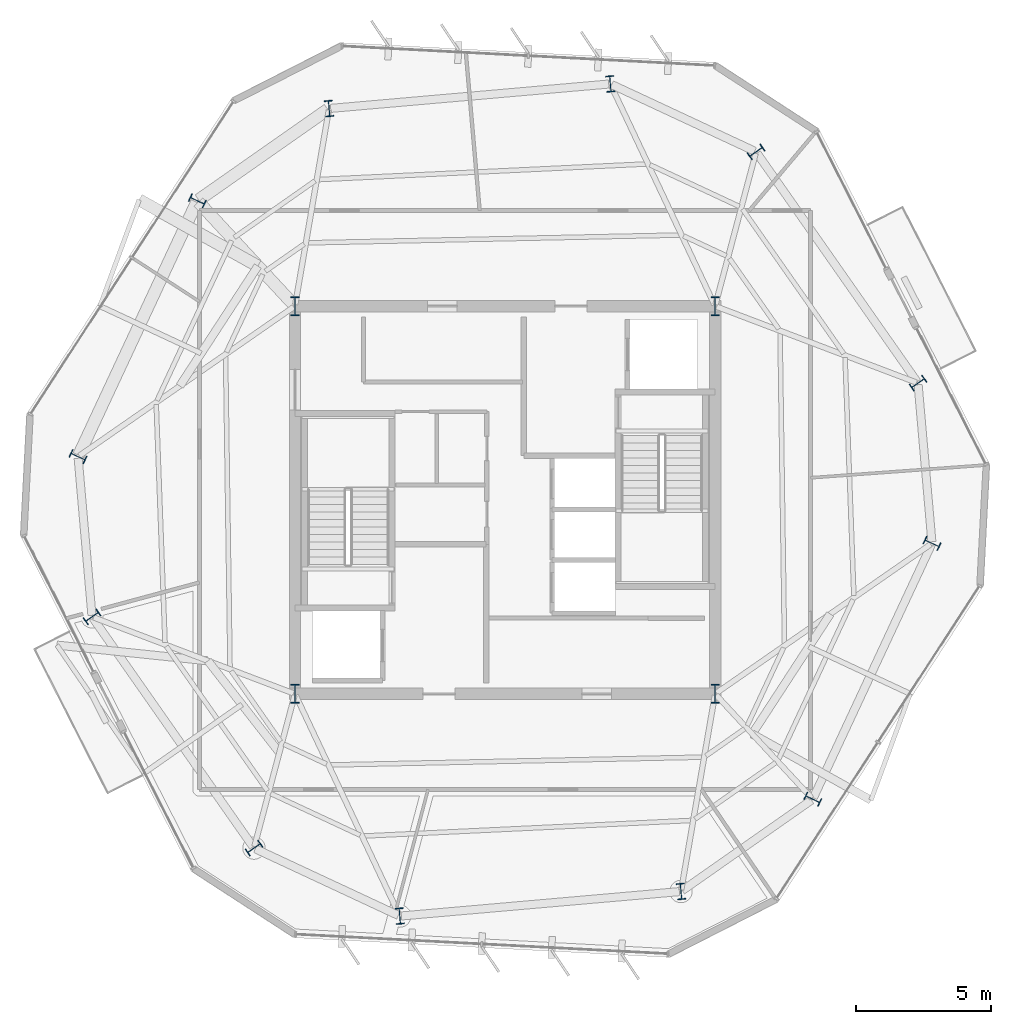
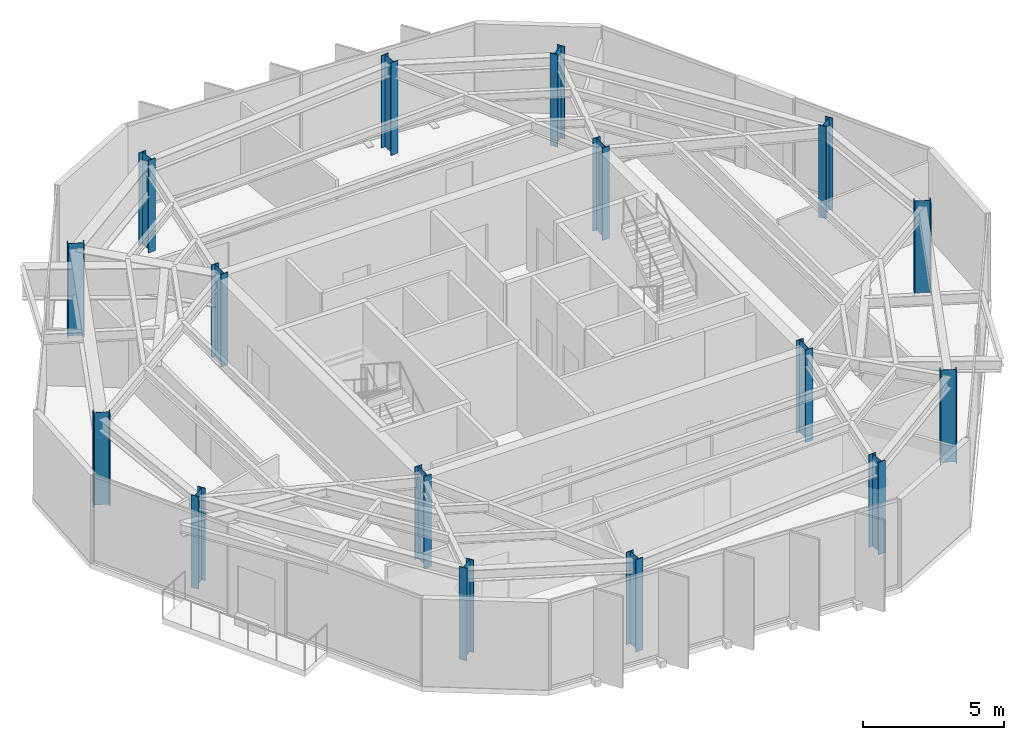
# One storey, part 1 of 11: 16 columns.
"""IFC4 building model written with IfcOpenShell, lengths in metres."""

import ifcopenshell
import ifcopenshell.guid

model = None  # the IFC model being written
_history = None  # IfcOwnerHistory: only IFC2X3 demands one
_inside = {}  # id of a spatial element -> (the spatial element, [elements in it])
_under = {}  # id of a project, library or spatial element -> (it, [spatial elements below it])
_declared = {}  # id of a project -> (the project, [libraries it declares])
_typed = {}  # id of a type object -> (the type object, [elements of that type])
_made_of = {}  # id of a material, layer set ... -> (it, [elements and type objects made of it])


def new_model(schema):
    """Start an empty IFC model of exactly this schema.

    Asked for "IFC4X3", IfcOpenShell would pick the latest addendum, in which some entities
    have other attributes; the version numbers below select the first issue.
    IFC2X3 requires an IfcOwnerHistory on every rooted entity: one is made here for all.
    """
    global model, _history
    if schema == "IFC4X3":
        model = ifcopenshell.file(schema_version=(4, 3, 0, 0))
    else:
        model = ifcopenshell.file(schema=schema)
    _inside.clear()
    _under.clear()
    _declared.clear()
    _typed.clear()
    _made_of.clear()
    _history = None
    if model.schema == "IFC2X3":
        org = make("IfcOrganization", Name="unknown")
        user = make(
            "IfcPersonAndOrganization",
            ThePerson=make("IfcPerson", FamilyName="unknown"),
            TheOrganization=org,
        )
        app = make(
            "IfcApplication",
            ApplicationDeveloper=org,
            Version="unknown",
            ApplicationFullName="unknown",
            ApplicationIdentifier="unknown",
        )
        _history = make(
            "IfcOwnerHistory",
            OwningUser=user,
            OwningApplication=app,
            ChangeAction="ADDED",
            CreationDate=0,
        )
    return model


def make(cls, **values):
    """One entity of the class cls with the attributes given. An attribute that is None is left unset."""
    return model.create_entity(
        cls, **{name: value for name, value in values.items() if value is not None}
    )


def rooted(cls, **values):
    """An entity with a GlobalId (a new one), such as an element, a storey or a relation."""
    return make(cls, GlobalId=ifcopenshell.guid.new(), OwnerHistory=_history, **values)


def si_unit(unit_type, name, prefix=None):
    """IfcSIUnit, for example si_unit("LENGTHUNIT", "METRE", prefix="MILLI")."""
    return make("IfcSIUnit", UnitType=unit_type, Prefix=prefix, Name=name)


def assignment(units):
    """IfcUnitAssignment: the units of a project."""
    return None if units is None else make("IfcUnitAssignment", Units=units)


def point(xyz):
    """IfcCartesianPoint."""
    return None if xyz is None else make("IfcCartesianPoint", Coordinates=xyz)


def direction(xyz):
    """IfcDirection."""
    return None if xyz is None else make("IfcDirection", DirectionRatios=xyz)


def frame(location, z_axis=None, x_axis=None):
    """IfcAxis2Placement3D, a coordinate frame: its origin and axes. An axis left out is left unset."""
    return make(
        "IfcAxis2Placement3D",
        Location=point(location),
        Axis=direction(z_axis),
        RefDirection=direction(x_axis),
    )


def frame_2d(location, x_axis=None):
    """IfcAxis2Placement2D, a coordinate frame in the plane: its origin and x axis."""
    return make(
        "IfcAxis2Placement2D", Location=point(location), RefDirection=direction(x_axis)
    )


def origin():
    """The frame at (0, 0, 0) with its axes left unset."""
    return frame((0.0, 0.0, 0.0))


def origin_2d():
    """The frame at (0, 0) in the plane with its x axis left unset."""
    return frame_2d((0.0, 0.0))


def place(relative_to, where):
    """IfcLocalPlacement: puts the frame where relative to a parent placement (None: the world)."""
    return make(
        "IfcLocalPlacement", PlacementRelTo=relative_to, RelativePlacement=where
    )


def context(
    kind, dimensions, precision=None, world=None, true_north=None, identifier=None
):
    """IfcGeometricRepresentationContext, for example the 3D "Model" context."""
    return make(
        "IfcGeometricRepresentationContext",
        ContextIdentifier=identifier,
        ContextType=kind,
        CoordinateSpaceDimension=dimensions,
        Precision=precision,
        WorldCoordinateSystem=world,
        TrueNorth=true_north,
    )


def subcontext(parent, identifier, kind, view, scale=None):
    """IfcGeometricRepresentationSubContext, for example "Body" below "Model"."""
    return make(
        "IfcGeometricRepresentationSubContext",
        ContextIdentifier=identifier,
        ContextType=kind,
        ParentContext=parent,
        TargetScale=scale,
        TargetView=view,
    )


def project(units=None, contexts=None):
    """IfcProject with its units and contexts."""
    return rooted(
        "IfcProject",
        Name="project",
        RepresentationContexts=contexts,
        UnitsInContext=assignment(units),
    )


def spatial(cls, under=None, at=None, **own):
    """A site, building, storey or space (cls), placed at a placement, below another one or the project."""
    s = rooted(cls, ObjectPlacement=at, **own)
    if under is not None:
        _under.setdefault(under.id(), (under, []))[1].append(s)
    return s


def profile(cls, at=None, kind="AREA", **sizes):
    """A parametric profile (cls). Its sizes go by their IFC names, for example OverallWidth=200.0."""
    return make(cls, ProfileType=kind, Position=at, **sizes)


def i_section(**sizes):
    """IfcIShapeProfileDef."""
    return profile("IfcIShapeProfileDef", **sizes)


def extrude(swept, where, along, depth):
    """IfcExtrudedAreaSolid: the profile swept, set in the frame where, extruded along a direction by depth."""
    return make(
        "IfcExtrudedAreaSolid",
        SweptArea=swept,
        Position=where,
        ExtrudedDirection=direction(along),
        Depth=depth,
    )


def shape(context_of_items, identifier, shape_type, items):
    """IfcShapeRepresentation: the items that make up one representation, for example the "Body"."""
    return make(
        "IfcShapeRepresentation",
        ContextOfItems=context_of_items,
        RepresentationIdentifier=identifier,
        RepresentationType=shape_type,
        Items=items,
    )


def material(Name=None, Category=None):
    """IfcMaterial."""
    return make("IfcMaterial", Name=Name, Category=Category)


def material_profile(
    of_material, cross_section, Name=None, Category=None, Priority=None
):
    """IfcMaterialProfile: a cross section and its material."""
    return make(
        "IfcMaterialProfile",
        Name=Name,
        Material=of_material,
        Profile=cross_section,
        Priority=Priority,
        Category=Category,
    )


def profile_set(profiles, Name=None, composite=None):
    """IfcMaterialProfileSet."""
    return make(
        "IfcMaterialProfileSet",
        Name=Name,
        MaterialProfiles=profiles,
        CompositeProfile=composite,
    )


def made_of(thing, what):
    """Note that an element or type object is made of a material, layer set ...; save() writes the relation."""
    if what is not None:
        _made_of.setdefault(what.id(), (what, []))[1].append(thing)
    return thing


def type_object(cls, material=None, **own):
    """A type object (cls), such as IfcWallType, which elements share."""
    return made_of(rooted(cls, **own), material)


def element(
    cls,
    number,
    at=None,
    inside=None,
    cuts=None,
    type_object=None,
    material=None,
    context=None,
    identifier="Body",
    shape_type=None,
    held_by="IfcProductDefinitionShape",
    body=None,
    shapes=None,
    **own,
):
    """One element of the class cls, such as IfcWall. Its Tag is "e" and its number.

    at: its placement. inside: the storey or other place that contains it. cuts: it is an
    opening in that element (IfcRelVoidsElement). A single representation is given by context,
    identifier, shape_type and body (its items); several are given by shapes. held_by: the class
    of the entity that holds the representations. save() writes the other relations.
    """
    e = rooted(cls, Tag="e%d" % number, ObjectPlacement=at, **own)
    if body is not None:
        shapes = [shape(context, identifier, shape_type, body)]
    if shapes is not None:
        e.Representation = make(held_by, Representations=shapes)
    if inside is not None:
        _inside.setdefault(inside.id(), (inside, []))[1].append(e)
    if cuts is not None:
        rooted(
            "IfcRelVoidsElement", RelatingBuildingElement=cuts, RelatedOpeningElement=e
        )
    if type_object is not None:
        _typed.setdefault(type_object.id(), (type_object, []))[1].append(e)
    return made_of(e, material)


def aggregate(whole, parts):
    """IfcRelAggregates: a whole, such as a stair, and the parts it consists of."""
    return rooted("IfcRelAggregates", RelatingObject=whole, RelatedObjects=parts)


def save(model, path):
    """Write the relations noted so far, then the file.

    IfcRelAggregates (storeys below a building ...), IfcRelContainedInSpatialStructure (elements
    in a storey), IfcRelDefinesByType, IfcRelAssociatesMaterial and IfcRelDeclares: one each for
    every whole, place, type object, material and project.
    """
    for whole, parts in _under.values():
        aggregate(whole, parts)
    for where, things in _inside.values():
        rooted(
            "IfcRelContainedInSpatialStructure",
            RelatedElements=things,
            RelatingStructure=where,
        )
    for kind, things in _typed.values():
        rooted("IfcRelDefinesByType", RelatedObjects=things, RelatingType=kind)
    for what, things in _made_of.values():
        rooted("IfcRelAssociatesMaterial", RelatedObjects=things, RelatingMaterial=what)
    for by, libraries in _declared.values():
        rooted("IfcRelDeclares", RelatingContext=by, RelatedDefinitions=libraries)
    model.write(path)


model = new_model("IFC4")

# Units and contexts
model_context = context("Model", 3, precision=1e-05, world=origin(), true_north=direction((0.0, 1.0)))
body_context = subcontext(model_context, "Body", "Model", "MODEL_VIEW")
ifc_project = project(units=[si_unit("LENGTHUNIT", "METRE"), si_unit("AREAUNIT", "SQUARE_METRE"), si_unit("VOLUMEUNIT", "CUBIC_METRE"), si_unit("PLANEANGLEUNIT", "RADIAN"), si_unit("MASSUNIT", "GRAM", prefix="KILO")], contexts=[model_context])

# Site, building, storey
site_placement = place(None, origin())
site = spatial("IfcSite", under=ifc_project, at=site_placement, CompositionType="ELEMENT")
building_placement = place(site_placement, origin())
building = spatial("IfcBuilding", under=site, at=building_placement, Name="Kranzbogen Civic Tower", CompositionType="ELEMENT")
storey_placement = place(building_placement, frame((0.0, 0.0, 254.199951171875)))
storey = spatial("IfcBuildingStorey", under=building, at=storey_placement, Name="L61", CompositionType="ELEMENT", Elevation=254.199951171875)

# Columns
ifc_material = material(Name="Steel S355", Category="steel")
ifc_material_profile_1 = material_profile(ifc_material, i_section(OverallWidth=0.300048828125, OverallDepth=0.60009765625, WebThickness=0.015380859375, FlangeThickness=0.030029296875, at=origin_2d()), Name="HEB 600")
ifc_profile_set_1 = profile_set([ifc_material_profile_1], Name="Steel S355")
column_type_1 = type_object("IfcColumnType", Name="Structural Column HEB 600", PredefinedType="COLUMN", material=ifc_profile_set_1)
for number, where, z_axis, x_axis, name in (
    (1, (28.908935546875, 40.449951171875, 0.0), (0.0, 0.0, 1.0), (0.996194698092, 0.087155742748, 0.0), "L61 tower perimeter tube column 01"),
    (2, (18.467041015625, 39.535888671875, 0.0), (0.0, 0.0, 1.0), (0.996194698092, 0.087155742748, 0.0), "L61 tower perimeter tube column 02"),
    (3, (13.574951171875, 36.110107421875, 0.0), (0.0, 0.0, 1.0), (0.422618261741, 0.906307787037, 0.0), "L61 tower perimeter tube column 03"),
    (4, (9.14501953125, 26.610107421875, 0.0), (0.0, 0.0, 1.0), (0.422618261741, 0.906307787037, 0.0), "L61 tower perimeter tube column 04"),
    (5, (9.666015625, 20.660888671875, 0.0), (0.0, 0.0, 1.0), (-0.573576436351, 0.819152044289, 0.0), "L61 tower perimeter tube column 05"),
    (6, (15.677978515625, 12.073974609375, 0.0), (0.0, 0.0, 1.0), (-0.573576436351, 0.819152044289, 0.0), "L61 tower perimeter tube column 06"),
    (7, (21.091064453125, 9.550048828125, 0.0), (0.0, 0.0, 1.0), (0.996194698092, 0.087155742748, 0.0), "L61 tower perimeter tube column 07"),
    (8, (31.532958984375, 10.464111328125, 0.0), (0.0, 0.0, 1.0), (0.996194698092, 0.087155742748, 0.0), "L61 tower perimeter tube column 08"),
    (9, (36.425048828125, 13.889892578125, 0.0), (0.0, 0.0, 1.0), (0.422618261741, 0.906307787037, 0.0), "L61 tower perimeter tube column 09"),
    (10, (40.85498046875, 23.389892578125, 0.0), (0.0, 0.0, 1.0), (0.422618261741, 0.906307787037, 0.0), "L61 tower perimeter tube column 10"),
    (11, (40.333984375, 29.339111328125, 0.0), (0.0, 0.0, 1.0), (-0.573576436351, 0.819152044289, 0.0), "L61 tower perimeter tube column 11"),
    (12, (34.322021484375, 37.926025390625, 0.0), (0.0, 0.0, 1.0), (-0.573576436351, 0.819152044289, 0.0), "L61 tower perimeter tube column 12"),
):
    element("IfcColumn", number, at=place(storey_placement, frame(where, z_axis=z_axis, x_axis=x_axis)), inside=storey, type_object=column_type_1, Name=name, PredefinedType="COLUMN", context=body_context, shape_type="SweptSolid", body=[
        extrude(i_section(OverallWidth=0.300048828125, OverallDepth=0.60009765625, WebThickness=0.015380859375, FlangeThickness=0.030029296875, at=origin_2d()), origin(), (0.0, 0.0, 1.0), 4.0),
    ])
ifc_material_profile_2 = material_profile(ifc_material, i_section(OverallWidth=0.300048828125, OverallDepth=0.699951171875, WebThickness=0.01708984375, FlangeThickness=0.031982421875, at=origin_2d()), Name="HEB 700")
ifc_profile_set_2 = profile_set([ifc_material_profile_2], Name="Steel S355")
column_type_2 = type_object("IfcColumnType", Name="Structural Column HEB 700", PredefinedType="COLUMN", material=ifc_profile_set_2)
for number, where, z_axis, x_axis, name in (
    (13, (17.199951171875, 17.800048828125, 0.0), (0.0, 0.0, 1.0), (1.0, 0.0, 0.0), "L61 composite core corner column 1"),
    (14, (32.800048828125, 17.800048828125, 0.0), (0.0, 0.0, 1.0), (1.0, 0.0, 0.0), "L61 composite core corner column 2"),
    (15, (32.800048828125, 32.199951171875, 0.0), (0.0, 0.0, 1.0), (1.0, 0.0, 0.0), "L61 composite core corner column 3"),
    (16, (17.199951171875, 32.199951171875, 0.0), (0.0, 0.0, 1.0), (1.0, 0.0, 0.0), "L61 composite core corner column 4"),
):
    element("IfcColumn", number, at=place(storey_placement, frame(where, z_axis=z_axis, x_axis=x_axis)), inside=storey, type_object=column_type_2, Name=name, PredefinedType="COLUMN", context=body_context, shape_type="SweptSolid", body=[
        extrude(i_section(OverallWidth=0.300048828125, OverallDepth=0.699951171875, WebThickness=0.01708984375, FlangeThickness=0.031982421875, at=origin_2d()), origin(), (0.0, 0.0, 1.0), 4.0),
    ])

save(model, "model.ifc")
